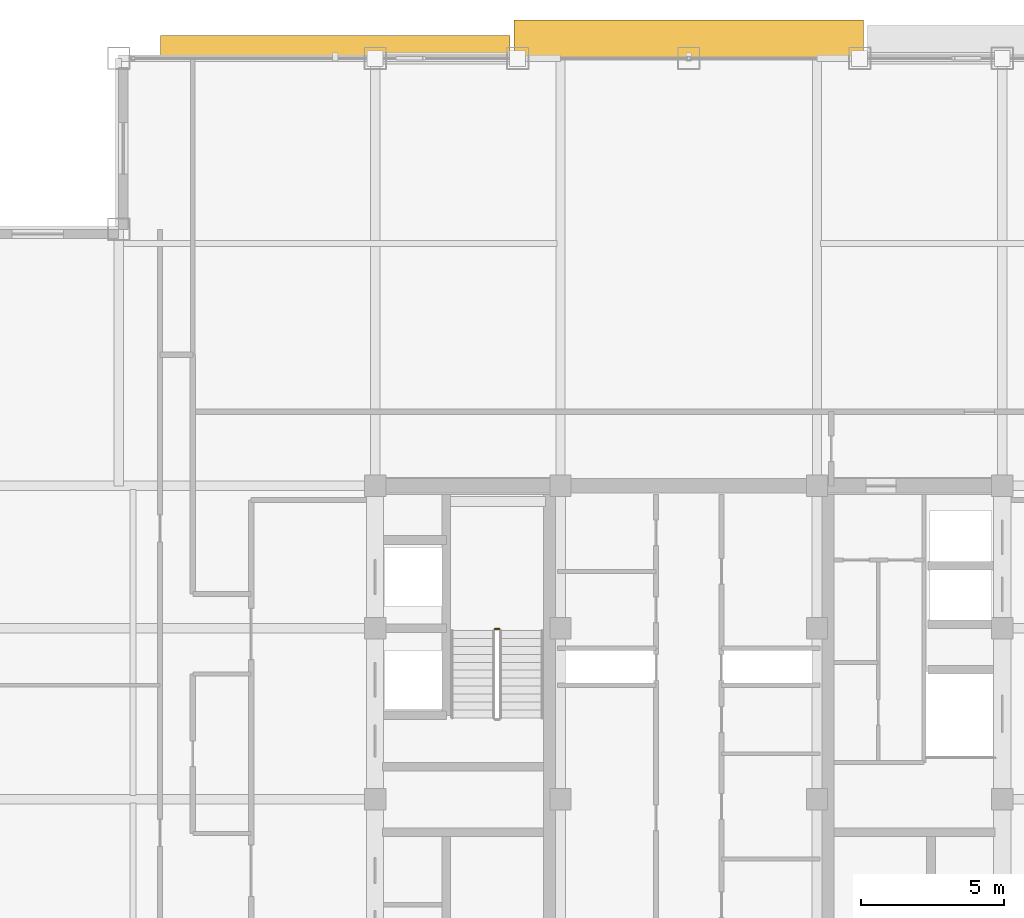
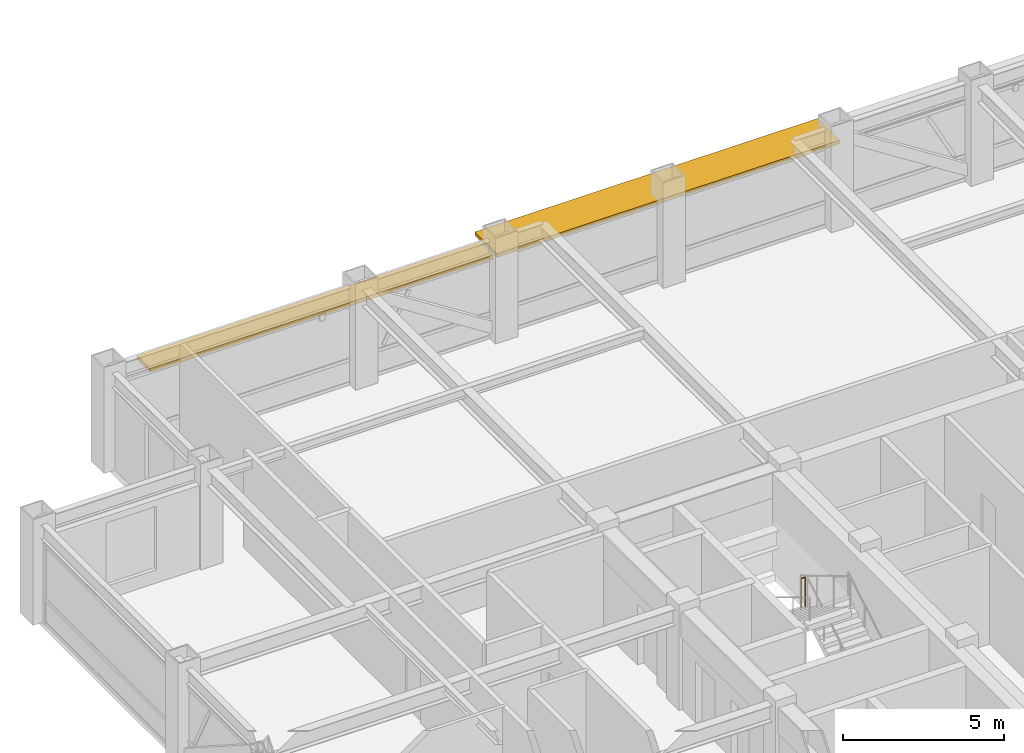
# One storey, part 31 of 32: 2 shading devices, 1 railing.
"""IFC4 building model written with IfcOpenShell, lengths in metres."""

from ifc_helpers import new_model, si_unit, direction, frame, origin, origin_2d, place, context, subcontext, project, spatial, rectangle, circle, extrude, source, transform, mapped, material, layer, layer_set, type_object, element, save


model = new_model("IFC4")

# Units and contexts
model_context = context("Model", 3, precision=1e-05, world=origin(), true_north=direction((0.0, 1.0)))
body_context = subcontext(model_context, "Body", "Model", "MODEL_VIEW")
ifc_project = project(units=[si_unit("LENGTHUNIT", "METRE"), si_unit("AREAUNIT", "SQUARE_METRE"), si_unit("VOLUMEUNIT", "CUBIC_METRE"), si_unit("PLANEANGLEUNIT", "RADIAN"), si_unit("MASSUNIT", "GRAM", prefix="KILO")], contexts=[model_context])

# Site, building, storey
site_placement = place(None, origin())
site = spatial("IfcSite", under=ifc_project, at=site_placement, CompositionType="ELEMENT")
building_placement = place(site_placement, origin())
building = spatial("IfcBuilding", under=site, at=building_placement, Name="Khorayat Bourse Tower", CompositionType="ELEMENT")
storey_placement = place(building_placement, frame((0.0, 0.0, 342.300048828125)))
storey = spatial("IfcBuildingStorey", under=building, at=storey_placement, Name="L81", CompositionType="ELEMENT", Elevation=342.300048828125)

# Shading devices
ifc_material_1 = material(Name="Precast concrete C45/55", Category="concrete")
ifc_layer = layer(ifc_material_1, 0.139892578125)
ifc_layer_set = layer_set([ifc_layer], Name="Precast concrete C45/55")
shading_device_type = type_object("IfcShadingDeviceType", Name="SHD-WAVE-TRAY-B", PredefinedType="USERDEFINED", material=ifc_layer_set)
shared_shape_1 = source(origin(), body_context, "Body", "SweptSolid", [
    extrude(rectangle(XDim=12.260009765625, YDim=0.814208984375, at=origin_2d()), origin(), (0.0, 0.0, 1.0), 0.139892578125),
])
shading_device_1_placement = place(storey_placement, frame((-12.39990234375, 26.386962890625, 2.9501953125), z_axis=(0.0, 0.0, 1.0), x_axis=(1.0, 0.0, 0.0)))
element("IfcShadingDevice", 1, at=shading_device_1_placement, inside=storey, type_object=shading_device_type, Name="L81 Sinusoidal Wave Sunshade Tray N-1", ObjectType="SUNSHADE", PredefinedType="USERDEFINED", context=body_context, shape_type="MappedRepresentation", body=[
    mapped(shared_shape_1, transform((0.0, 0.0, 0.0), scale=1.0)),
])
shared_shape_2 = source(origin(), body_context, "Body", "SweptSolid", [
    extrude(rectangle(XDim=12.260009765625, YDim=1.36376953125, at=origin_2d()), origin(), (0.0, 0.0, 1.0), 0.139892578125),
])
shading_device_2_placement = place(storey_placement, frame((0.0, 26.661865234375, 2.9501953125), z_axis=(0.0, 0.0, 1.0), x_axis=(1.0, 0.0, 0.0)))
element("IfcShadingDevice", 2, at=shading_device_2_placement, inside=storey, type_object=shading_device_type, Name="L81 Sinusoidal Wave Sunshade Tray N-2", ObjectType="SUNSHADE", PredefinedType="USERDEFINED", context=body_context, shape_type="MappedRepresentation", body=[
    mapped(shared_shape_2, transform((0.0, 0.0, 0.0), scale=1.0)),
])

# Railing
ifc_material_2 = material(Name="Powder-coated steel balustrade", Category="steel")
railing_type = type_object("IfcRailingType", Name="RLG-GUARD-1200", PredefinedType="GUARDRAIL", material=ifc_material_2)
shared_shape_3 = source(origin(), body_context, "Body", "SweptSolid", [
    extrude(circle(Radius=0.02392578125, at=origin_2d()), frame((0.0, 0.0, 1.17578125), z_axis=(-1.0, 0.0, 0.0), x_axis=(0.0, -1.0, 0.0)), (0.0, 0.0, 1.0), 0.150146484375),
    extrude(circle(Radius=0.02099609375, at=origin_2d()), origin(), (0.0, 0.0, 1.0), 1.15185546875),
    extrude(circle(Radius=0.02099609375, at=origin_2d()), frame((-0.150146484375, 0.0, 0.0)), (0.0, 0.0, 1.0), 1.15185546875),
])
railing_placement = place(storey_placement, frame((-6.64990234375, 5.97998046875, 2.0)))
element("IfcRailing", 3, at=railing_placement, inside=storey, type_object=railing_type, Name="L81 ST-2 stair guard 2", PredefinedType="GUARDRAIL", context=body_context, shape_type="MappedRepresentation", body=[
    mapped(shared_shape_3, transform((0.0, 0.0, 0.0), scale=1.0)),
])

save(model, "model.ifc")
